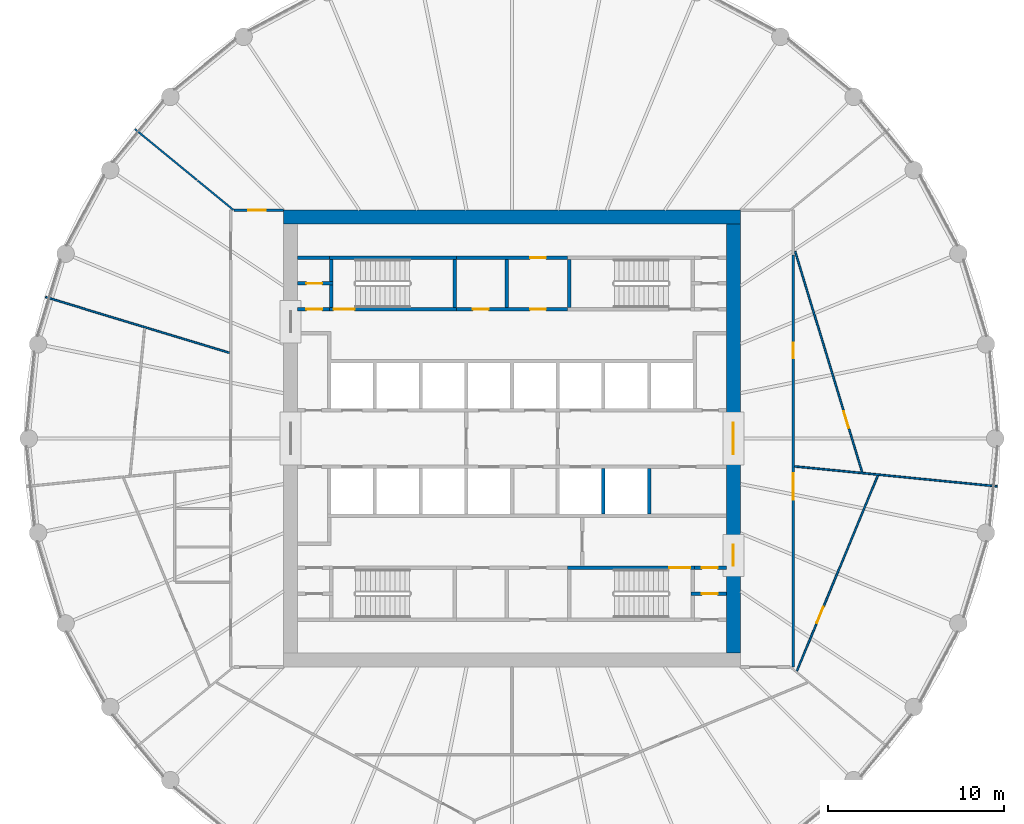
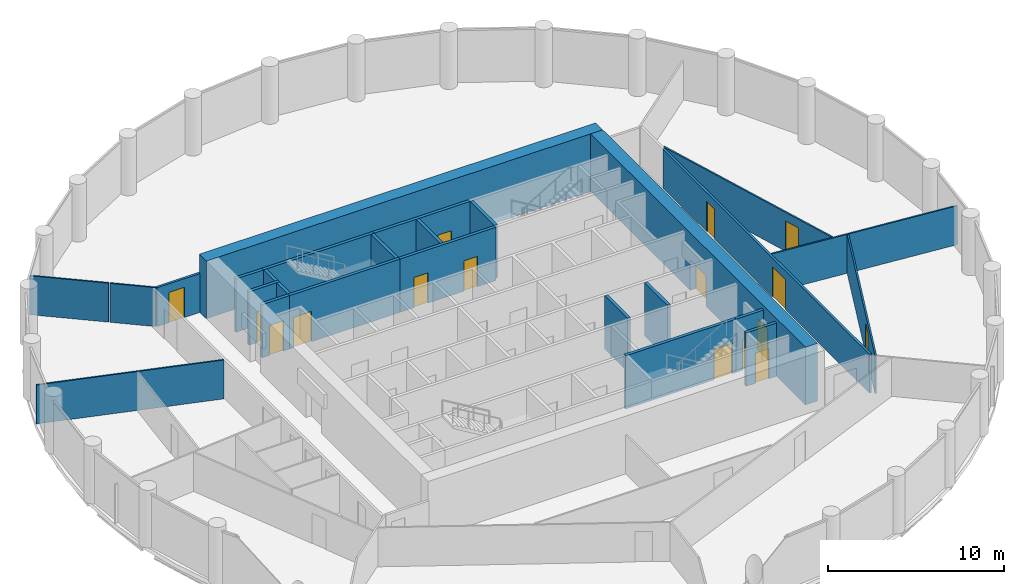
# One storey, part 6 of 8: 27 walls, 16 doors, 16 openings.
"""IFC4 building model written with IfcOpenShell, lengths in metres."""

from ifc_helpers import new_model, si_unit, direction, frame, frame_2d, origin, place, context, subcontext, project, spatial, polyline, rectangle, outline, extrude, material, layer, layer_set, type_object, element, fill, save


model = new_model("IFC4")

# Units and contexts
model_context = context("Model", 3, precision=1e-05, world=origin(), true_north=direction((0.0, 1.0)))
body_context = subcontext(model_context, "Body", "Model", "MODEL_VIEW")
ifc_project = project(units=[si_unit("LENGTHUNIT", "METRE"), si_unit("AREAUNIT", "SQUARE_METRE"), si_unit("VOLUMEUNIT", "CUBIC_METRE"), si_unit("PLANEANGLEUNIT", "RADIAN"), si_unit("MASSUNIT", "GRAM", prefix="KILO")], contexts=[model_context])

# Site, building, storey
site_placement = place(None, origin())
site = spatial("IfcSite", under=ifc_project, at=site_placement, CompositionType="ELEMENT")
building_placement = place(site_placement, origin())
building = spatial("IfcBuilding", under=site, at=building_placement, Name="Corvane Civic Tower", CompositionType="ELEMENT")
storey_placement = place(building_placement, frame((0.0, 0.0, 229.5)))
storey = spatial("IfcBuildingStorey", under=building, at=storey_placement, Name="L54", CompositionType="ELEMENT", Elevation=229.5)

# Wall
ifc_material_1 = material(Name="Concrete C50/60", Category="concrete")
ifc_layer_1 = layer(ifc_material_1, 0.800048828125)
ifc_layer_set_1 = layer_set([ifc_layer_1], Name="Concrete C50/60")
wall_type_1 = type_object("IfcWallType", Name="CORE WALL 800 C50/60", PredefinedType="SHEAR", material=ifc_layer_set_1)
wall_1_placement = place(storey_placement, frame((-13.0, 12.60009765625, 0.0), z_axis=(0.0, 0.0, 1.0), x_axis=(1.0, 0.0, 0.0)))
element("IfcWall", 1, at=wall_1_placement, inside=storey, type_object=wall_type_1, Name="W-L54-core-N", PredefinedType="SHEAR", context=body_context, shape_type="SweptSolid", body=[
    extrude(rectangle(XDim=26.0, YDim=0.800048828125, at=frame_2d((13.0, 0.0))), origin(), (0.0, 0.0, 1.0), 4.0),
])

# Wall, openings, doors
wall_2_placement = place(storey_placement, frame((12.60009765625, -12.199951171875, 0.0), z_axis=(0.0, 0.0, 1.0), x_axis=(0.0, 1.0, 0.0)))
wall_2 = element("IfcWall", 2, at=wall_2_placement, inside=storey, type_object=wall_type_1, Name="W-L54-core-E", PredefinedType="SHEAR", context=body_context, shape_type="SweptSolid", body=[
    extrude(rectangle(XDim=24.39990234375, YDim=0.800048828125, at=frame_2d((12.199951171875, 0.0))), origin(), (0.0, 0.0, 1.0), 4.0),
])
opening_1_placement = place(wall_2_placement, frame((11.300048828125, 0.0, 0.0)))
opening_1 = element("IfcOpeningElement", 3, at=opening_1_placement, cuts=wall_2, Name="Opening L54.C30", PredefinedType="OPENING", context=body_context, shape_type="SweptSolid", body=[
    extrude(rectangle(XDim=1.800048828125, YDim=2.10009765625, at=frame_2d((0.89990234375, 1.050048828125))), frame((0.0, 0.409912109375, 0.0), z_axis=(0.0, -1.0, 0.0), x_axis=(1.0, 0.0, 0.0)), (0.0, 0.0, 1.0), 0.820068359375),
])
opening_2_placement = place(wall_2_placement, frame((4.949951171875, 0.0, 0.0)))
opening_2 = element("IfcOpeningElement", 4, at=opening_2_placement, cuts=wall_2, Name="Opening L54.C32", PredefinedType="OPENING", context=body_context, shape_type="SweptSolid", body=[
    extrude(rectangle(XDim=1.199951171875, YDim=2.10009765625, at=frame_2d((0.60009765625, 1.050048828125))), frame((0.0, 0.409912109375, 0.0), z_axis=(0.0, -1.0, 0.0), x_axis=(1.0, 0.0, 0.0)), (0.0, 0.0, 1.0), 0.820068359375),
])
ifc_material_2 = material(Name="Steel fire door leaf", Category="steel")
door_type_1 = type_object("IfcDoorType", Name="CR-DOOR-CORE-1800", OperationType="DOUBLE_DOOR_SINGLE_SWING", PredefinedType="DOOR", material=ifc_material_2)
door_1_placement = place(opening_1_placement, origin())
door_1 = element("IfcDoor", 5, at=door_1_placement, inside=storey, type_object=door_type_1, Name="L54 door", OperationType="DOUBLE_DOOR_SINGLE_SWING", OverallHeight=2.10009765625, OverallWidth=1.800048828125, PredefinedType="DOOR", context=body_context, shape_type="SweptSolid", body=[
    extrude(rectangle(XDim=1.800048828125, YDim=2.10009765625, at=frame_2d((0.89990234375, 1.050048828125))), frame((0.0, 0.02490234375, 0.0), z_axis=(0.0, -1.0, 0.0), x_axis=(1.0, 0.0, 0.0)), (0.0, 0.0, 1.0), 0.050048828125),
])
fill(opening_1, door_1)
door_2_placement = place(opening_2_placement, origin())
door_2 = element("IfcDoor", 6, at=door_2_placement, inside=storey, type_object=door_type_1, Name="L54 door", OperationType="DOUBLE_DOOR_SINGLE_SWING", OverallHeight=2.10009765625, OverallWidth=1.199951171875, PredefinedType="DOOR", context=body_context, shape_type="SweptSolid", body=[
    extrude(rectangle(XDim=1.199951171875, YDim=2.10009765625, at=frame_2d((0.60009765625, 1.050048828125))), frame((0.0, 0.02490234375, 0.0), z_axis=(0.0, -1.0, 0.0), x_axis=(1.0, 0.0, 0.0)), (0.0, 0.0, 1.0), 0.050048828125),
])
fill(opening_2, door_2)

# Wall, opening, door
ifc_material_3 = material(Name="Concrete C30/37", Category="concrete")
ifc_layer_2 = layer(ifc_material_3, 0.199951171875)
ifc_layer_set_2 = layer_set([ifc_layer_2], Name="Concrete C30/37")
wall_type_2 = type_object("IfcWallType", Name="CR-WALL-200", PredefinedType="PARTITIONING", material=ifc_layer_set_2)
wall_3_placement = place(storey_placement, frame((10.199951171875, -8.824951171875, 0.0), z_axis=(0.0, 0.0, 1.0), x_axis=(1.0, 0.0, 0.0)))
wall_3 = element("IfcWall", 7, at=wall_3_placement, inside=storey, type_object=wall_type_2, Name="L54 partition wall", PredefinedType="PARTITIONING", context=body_context, shape_type="SweptSolid", body=[
    extrude(rectangle(XDim=2.0, YDim=0.199951171875, at=frame_2d((1.0, 0.0))), origin(), (0.0, 0.0, 1.0), 3.699951171875),
])
opening_3_placement = place(wall_3_placement, frame((0.60009765625, 0.0, 0.0)))
opening_3 = element("IfcOpeningElement", 8, at=opening_3_placement, cuts=wall_3, Name="Opening L54.C20", PredefinedType="OPENING", context=body_context, shape_type="SweptSolid", body=[
    extrude(rectangle(XDim=0.89990234375, YDim=2.10009765625, at=frame_2d((0.449951171875, 1.050048828125))), frame((0.0, 0.10986328125, 0.0), z_axis=(0.0, -1.0, 0.0), x_axis=(1.0, 0.0, 0.0)), (0.0, 0.0, 1.0), 0.219970703125),
])
ifc_material_4 = material(Name="Steel fire door leaf", Category="steel")
door_type_2 = type_object("IfcDoorType", Name="CR-DOOR-900", OperationType="SINGLE_SWING_LEFT", PredefinedType="DOOR", material=ifc_material_4)
door_3_placement = place(opening_3_placement, origin())
door_3 = element("IfcDoor", 9, at=door_3_placement, inside=storey, type_object=door_type_2, Name="L54 door", OperationType="SINGLE_SWING_LEFT", OverallHeight=2.10009765625, OverallWidth=0.89990234375, PredefinedType="DOOR", context=body_context, shape_type="SweptSolid", body=[
    extrude(rectangle(XDim=0.89990234375, YDim=2.10009765625, at=frame_2d((0.449951171875, 1.050048828125))), frame((0.0, 0.02490234375, 0.0), z_axis=(0.0, -1.0, 0.0), x_axis=(1.0, 0.0, 0.0)), (0.0, 0.0, 1.0), 0.050048828125),
])
fill(opening_3, door_3)

wall_4_placement = place(storey_placement, frame((10.39990234375, -7.35009765625, 0.0), z_axis=(0.0, 0.0, 1.0), x_axis=(1.0, 0.0, 0.0)))
wall_4 = element("IfcWall", 10, at=wall_4_placement, inside=storey, type_object=wall_type_2, Name="L54 core partition wall", PredefinedType="PARTITIONING", context=body_context, shape_type="SweptSolid", body=[
    extrude(rectangle(XDim=1.800048828125, YDim=0.199951171875, at=frame_2d((0.89990234375, 0.0))), origin(), (0.0, 0.0, 1.0), 3.699951171875),
])
opening_4_placement = place(wall_4_placement, frame((0.39990234375, 0.0, 0.0)))
opening_4 = element("IfcOpeningElement", 11, at=opening_4_placement, cuts=wall_4, Name="Opening L54.C19", PredefinedType="OPENING", context=body_context, shape_type="SweptSolid", body=[
    extrude(rectangle(XDim=0.89990234375, YDim=2.10009765625, at=frame_2d((0.449951171875, 1.050048828125))), frame((0.0, 0.10986328125, 0.0), z_axis=(0.0, -1.0, 0.0), x_axis=(1.0, 0.0, 0.0)), (0.0, 0.0, 1.0), 0.219970703125),
])
door_4_placement = place(opening_4_placement, origin())
door_4 = element("IfcDoor", 12, at=door_4_placement, inside=storey, type_object=door_type_2, Name="L54 door", OperationType="SINGLE_SWING_LEFT", OverallHeight=2.10009765625, OverallWidth=0.89990234375, PredefinedType="DOOR", context=body_context, shape_type="SweptSolid", body=[
    extrude(rectangle(XDim=0.89990234375, YDim=2.10009765625, at=frame_2d((0.449951171875, 1.050048828125))), frame((0.0, 0.02490234375, 0.0), z_axis=(0.0, -1.0, 0.0), x_axis=(1.0, 0.0, 0.0)), (0.0, 0.0, 1.0), 0.050048828125),
])
fill(opening_4, door_4)

wall_5_placement = place(storey_placement, frame((-12.199951171875, 7.35009765625, 0.0), z_axis=(0.0, 0.0, 1.0), x_axis=(1.0, 0.0, 0.0)))
wall_5 = element("IfcWall", 13, at=wall_5_placement, inside=storey, type_object=wall_type_2, Name="L54 core partition wall", PredefinedType="PARTITIONING", context=body_context, shape_type="SweptSolid", body=[
    extrude(rectangle(XDim=1.800048828125, YDim=0.199951171875, at=frame_2d((0.89990234375, 0.0))), origin(), (0.0, 0.0, 1.0), 3.699951171875),
])
opening_5_placement = place(wall_5_placement, frame((0.5, 0.0, 0.0)))
opening_5 = element("IfcOpeningElement", 14, at=opening_5_placement, cuts=wall_5, Name="Opening L54.C12", PredefinedType="OPENING", context=body_context, shape_type="SweptSolid", body=[
    extrude(rectangle(XDim=0.89990234375, YDim=2.10009765625, at=frame_2d((0.449951171875, 1.050048828125))), frame((0.0, 0.10986328125, 0.0), z_axis=(0.0, -1.0, 0.0), x_axis=(1.0, 0.0, 0.0)), (0.0, 0.0, 1.0), 0.219970703125),
])
door_5_placement = place(opening_5_placement, origin())
door_5 = element("IfcDoor", 15, at=door_5_placement, inside=storey, type_object=door_type_2, Name="L54 door", OperationType="SINGLE_SWING_LEFT", OverallHeight=2.10009765625, OverallWidth=0.89990234375, PredefinedType="DOOR", context=body_context, shape_type="SweptSolid", body=[
    extrude(rectangle(XDim=0.89990234375, YDim=2.10009765625, at=frame_2d((0.449951171875, 1.050048828125))), frame((0.0, 0.02490234375, 0.0), z_axis=(0.0, -1.0, 0.0), x_axis=(1.0, 0.0, 0.0)), (0.0, 0.0, 1.0), 0.050048828125),
])
fill(opening_5, door_5)

# Wall, openings, doors
wall_6_placement = place(storey_placement, frame((-3.14990234375, 7.35009765625, 0.0), z_axis=(0.0, 0.0, 1.0), x_axis=(1.0, 0.0, 0.0)))
wall_6 = element("IfcWall", 16, at=wall_6_placement, inside=storey, type_object=wall_type_2, Name="L54 core partition wall", PredefinedType="PARTITIONING", context=body_context, shape_type="SweptSolid", body=[
    extrude(rectangle(XDim=6.2998046875, YDim=0.199951171875, at=frame_2d((3.14990234375, 0.0))), origin(), (0.0, 0.0, 1.0), 3.699951171875),
])
opening_6_placement = place(wall_6_placement, frame((0.925048828125, 0.0, 0.0)))
opening_6 = element("IfcOpeningElement", 17, at=opening_6_placement, cuts=wall_6, Name="Opening L54.C06", PredefinedType="OPENING", context=body_context, shape_type="SweptSolid", body=[
    extrude(rectangle(XDim=0.89990234375, YDim=2.10009765625, at=frame_2d((0.449951171875, 1.050048828125))), frame((0.0, 0.10986328125, 0.0), z_axis=(0.0, -1.0, 0.0), x_axis=(1.0, 0.0, 0.0)), (0.0, 0.0, 1.0), 0.219970703125),
])
opening_7_placement = place(wall_6_placement, frame((4.175048828125, 0.0, 0.0)))
opening_7 = element("IfcOpeningElement", 18, at=opening_7_placement, cuts=wall_6, Name="Opening L54.C07", PredefinedType="OPENING", context=body_context, shape_type="SweptSolid", body=[
    extrude(rectangle(XDim=0.89990234375, YDim=2.10009765625, at=frame_2d((0.449951171875, 1.050048828125))), frame((0.0, 0.10986328125, 0.0), z_axis=(0.0, -1.0, 0.0), x_axis=(1.0, 0.0, 0.0)), (0.0, 0.0, 1.0), 0.219970703125),
])
door_6_placement = place(opening_6_placement, origin())
door_6 = element("IfcDoor", 19, at=door_6_placement, inside=storey, type_object=door_type_2, Name="L54 door", OperationType="SINGLE_SWING_LEFT", OverallHeight=2.10009765625, OverallWidth=0.89990234375, PredefinedType="DOOR", context=body_context, shape_type="SweptSolid", body=[
    extrude(rectangle(XDim=0.89990234375, YDim=2.10009765625, at=frame_2d((0.449951171875, 1.050048828125))), frame((0.0, 0.02490234375, 0.0), z_axis=(0.0, -1.0, 0.0), x_axis=(1.0, 0.0, 0.0)), (0.0, 0.0, 1.0), 0.050048828125),
])
fill(opening_6, door_6)
door_7_placement = place(opening_7_placement, origin())
door_7 = element("IfcDoor", 20, at=door_7_placement, inside=storey, type_object=door_type_2, Name="L54 door", OperationType="SINGLE_SWING_LEFT", OverallHeight=2.10009765625, OverallWidth=0.89990234375, PredefinedType="DOOR", context=body_context, shape_type="SweptSolid", body=[
    extrude(rectangle(XDim=0.89990234375, YDim=2.10009765625, at=frame_2d((0.449951171875, 1.050048828125))), frame((0.0, 0.02490234375, 0.0), z_axis=(0.0, -1.0, 0.0), x_axis=(1.0, 0.0, 0.0)), (0.0, 0.0, 1.0), 0.050048828125),
])
fill(opening_7, door_7)

# Wall, opening, door
wall_7_placement = place(storey_placement, frame((-12.199951171875, 8.824951171875, 0.0), z_axis=(0.0, 0.0, 1.0), x_axis=(1.0, 0.0, 0.0)))
wall_7 = element("IfcWall", 21, at=wall_7_placement, inside=storey, type_object=wall_type_2, Name="L54 partition wall", PredefinedType="PARTITIONING", context=body_context, shape_type="SweptSolid", body=[
    extrude(rectangle(XDim=2.0, YDim=0.199951171875, at=frame_2d((1.0, 0.0))), origin(), (0.0, 0.0, 1.0), 3.699951171875),
])
opening_8_placement = place(wall_7_placement, frame((0.5, 0.0, 0.0)))
opening_8 = element("IfcOpeningElement", 22, at=opening_8_placement, cuts=wall_7, Name="Opening L54.C13", PredefinedType="OPENING", context=body_context, shape_type="SweptSolid", body=[
    extrude(rectangle(XDim=0.89990234375, YDim=2.10009765625, at=frame_2d((0.449951171875, 1.050048828125))), frame((0.0, 0.10986328125, 0.0), z_axis=(0.0, -1.0, 0.0), x_axis=(1.0, 0.0, 0.0)), (0.0, 0.0, 1.0), 0.219970703125),
])
door_8_placement = place(opening_8_placement, origin())
door_8 = element("IfcDoor", 23, at=door_8_placement, inside=storey, type_object=door_type_2, Name="L54 door", OperationType="SINGLE_SWING_LEFT", OverallHeight=2.10009765625, OverallWidth=0.89990234375, PredefinedType="DOOR", context=body_context, shape_type="SweptSolid", body=[
    extrude(rectangle(XDim=0.89990234375, YDim=2.10009765625, at=frame_2d((0.449951171875, 1.050048828125))), frame((0.0, 0.02490234375, 0.0), z_axis=(0.0, -1.0, 0.0), x_axis=(1.0, 0.0, 0.0)), (0.0, 0.0, 1.0), 0.050048828125),
])
fill(opening_8, door_8)

wall_8_placement = place(storey_placement, frame((-3.14990234375, 10.300048828125, 0.0), z_axis=(0.0, 0.0, 1.0), x_axis=(1.0, 0.0, 0.0)))
wall_8 = element("IfcWall", 24, at=wall_8_placement, inside=storey, type_object=wall_type_2, Name="L54 partition wall", PredefinedType="PARTITIONING", context=body_context, shape_type="SweptSolid", body=[
    extrude(rectangle(XDim=6.2998046875, YDim=0.199951171875, at=frame_2d((3.14990234375, 0.0))), origin(), (0.0, 0.0, 1.0), 3.699951171875),
])
opening_9_placement = place(wall_8_placement, frame((4.175048828125, 0.0, 0.0)))
opening_9 = element("IfcOpeningElement", 25, at=opening_9_placement, cuts=wall_8, Name="Opening L54.C10", PredefinedType="OPENING", context=body_context, shape_type="SweptSolid", body=[
    extrude(rectangle(XDim=0.89990234375, YDim=2.10009765625, at=frame_2d((0.449951171875, 1.050048828125))), frame((0.0, 0.10986328125, 0.0), z_axis=(0.0, -1.0, 0.0), x_axis=(1.0, 0.0, 0.0)), (0.0, 0.0, 1.0), 0.219970703125),
])
door_9_placement = place(opening_9_placement, origin())
door_9 = element("IfcDoor", 26, at=door_9_placement, inside=storey, type_object=door_type_2, Name="L54 door", OperationType="SINGLE_SWING_LEFT", OverallHeight=2.10009765625, OverallWidth=0.89990234375, PredefinedType="DOOR", context=body_context, shape_type="SweptSolid", body=[
    extrude(rectangle(XDim=0.89990234375, YDim=2.10009765625, at=frame_2d((0.449951171875, 1.050048828125))), frame((0.0, 0.02490234375, 0.0), z_axis=(0.0, -1.0, 0.0), x_axis=(1.0, 0.0, 0.0)), (0.0, 0.0, 1.0), 0.050048828125),
])
fill(opening_9, door_9)

# Walls
wall_9_placement = place(storey_placement, origin())
element("IfcWall", 27, at=wall_9_placement, inside=storey, type_object=wall_type_2, Name="L54 core partition wall", PredefinedType="PARTITIONING", context=body_context, shape_type="SweptSolid", body=[
    extrude(outline(polyline([(5.300048828125, -1.699951171875), (5.300048828125, -4.2998046875), (5.10009765625, -4.2998046875), (5.10009765625, -1.699951171875), (5.300048828125, -1.699951171875)])), origin(), (0.0, 0.0, 1.0), 3.699951171875),
])
wall_10_placement = place(storey_placement, origin())
element("IfcWall", 28, at=wall_10_placement, inside=storey, type_object=wall_type_2, Name="L54 core partition wall", PredefinedType="PARTITIONING", context=body_context, shape_type="SweptSolid", body=[
    extrude(outline(polyline([(7.89990234375, -1.699951171875), (7.89990234375, -4.2998046875), (7.699951171875, -4.2998046875), (7.699951171875, -1.699951171875), (7.89990234375, -1.699951171875)])), origin(), (0.0, 0.0, 1.0), 3.699951171875),
])
wall_11_placement = place(storey_placement, origin())
element("IfcWall", 29, at=wall_11_placement, inside=storey, type_object=wall_type_2, Name="L54 core partition wall", PredefinedType="PARTITIONING", context=body_context, shape_type="SweptSolid", body=[
    extrude(outline(polyline([(-12.199951171875, 10.199951171875), (-12.199951171875, 10.39990234375), (-10.39990234375, 10.39990234375), (-10.39990234375, 10.199951171875), (-12.199951171875, 10.199951171875)])), origin(), (0.0, 0.0, 1.0), 3.699951171875),
])
wall_12_placement = place(storey_placement, origin())
element("IfcWall", 30, at=wall_12_placement, inside=storey, type_object=wall_type_2, Name="L54 core partition wall", PredefinedType="PARTITIONING", context=body_context, shape_type="SweptSolid", body=[
    extrude(outline(polyline([(-0.199951171875, 10.199951171875), (-0.199951171875, 7.449951171875), (-0.39990234375, 7.449951171875), (-0.39990234375, 10.199951171875), (-0.199951171875, 10.199951171875)])), origin(), (0.0, 0.0, 1.0), 3.699951171875),
])

# Wall, opening, door
ifc_material_5 = material(Name="Plasterboard")
ifc_layer_3 = layer(ifc_material_5, 0.10009765625)
ifc_layer_set_3 = layer_set([ifc_layer_3], Name="Plasterboard")
wall_type_3 = type_object("IfcWallType", Name="Partition 100 plasterboard on studs", PredefinedType="PARTITIONING", material=ifc_layer_set_3)
wall_13_placement = place(storey_placement, frame((16.214111328125, -13.22314453125, 0.0), z_axis=(0.0, 0.0, 1.0), x_axis=(0.382678182982, 0.92388170686, 0.0)))
wall_13 = element("IfcWall", 31, at=wall_13_placement, inside=storey, type_object=wall_type_3, Name="Partition L54.009", PredefinedType="PARTITIONING", context=body_context, shape_type="SweptSolid", body=[
    extrude(rectangle(XDim=12.0234375, YDim=0.10009765625, at=frame_2d((6.01171875, 0.0))), origin(), (0.0, 0.0, 1.0), 2.699951171875),
])
opening_10_placement = place(wall_13_placement, frame((2.95654296875, 0.0, 0.0)))
opening_10 = element("IfcOpeningElement", 32, at=opening_10_placement, cuts=wall_13, Name="Opening L54.009", PredefinedType="OPENING", context=body_context, shape_type="SweptSolid", body=[
    extrude(rectangle(XDim=1.0, YDim=2.10009765625, at=frame_2d((0.5, 1.050048828125))), frame((0.0, 0.06005859375, 0.0), z_axis=(0.0, -1.0, 0.0), x_axis=(1.0, 0.0, 0.0)), (0.0, 0.0, 1.0), 0.1201171875),
])
ifc_material_6 = material(Name="Timber", Category="wood")
door_type_3 = type_object("IfcDoorType", Name="Single door 1000", OperationType="NOTDEFINED", PredefinedType="DOOR", material=ifc_material_6)
door_10_placement = place(opening_10_placement, frame((1.0, 0.0, 0.0), z_axis=(0.0, 0.0, 1.0), x_axis=(-1.0, 0.0, 0.0)))
door_10 = element("IfcDoor", 33, at=door_10_placement, inside=storey, type_object=door_type_3, Name="Door L54.009", OperationType="SINGLE_SWING_LEFT", OverallHeight=2.10009765625, OverallWidth=1.0, PredefinedType="DOOR", context=body_context, shape_type="SweptSolid", body=[
    extrude(rectangle(XDim=1.0, YDim=2.10009765625, at=frame_2d((0.5, 1.050048828125))), frame((0.0, 0.02490234375, 0.0), z_axis=(0.0, -1.0, 0.0), x_axis=(1.0, 0.0, 0.0)), (0.0, 0.0, 1.0), 0.050048828125),
])
fill(opening_10, door_10)

# Wall
wall_14_placement = place(storey_placement, frame((16.079833984375, -1.583740234375, 0.0), z_axis=(0.0, 0.0, 1.0), x_axis=(0.995184958345, -0.098014788084, 0.0)))
element("IfcWall", 34, at=wall_14_placement, inside=storey, type_object=wall_type_3, Name="Partition L54.019", PredefinedType="PARTITIONING", context=body_context, shape_type="SweptSolid", body=[
    extrude(rectangle(XDim=11.592529296875, YDim=0.10009765625, at=frame_2d((5.79638671875, 0.0))), origin(), (0.0, 0.0, 1.0), 2.699951171875),
])

# Wall, opening, door
wall_15_placement = place(storey_placement, frame((16.1162109375, 10.655517578125, 0.0), z_axis=(0.0, 0.0, 1.0), x_axis=(0.290282810355, -0.956940902048, 0.0)))
wall_15 = element("IfcWall", 35, at=wall_15_placement, inside=storey, type_object=wall_type_3, Name="Partition L54.022", PredefinedType="PARTITIONING", context=body_context, shape_type="SweptSolid", body=[
    extrude(rectangle(XDim=13.11279296875, YDim=0.10009765625, at=frame_2d((6.556396484375, 0.0))), origin(), (0.0, 0.0, 1.0), 2.699951171875),
])
opening_11_placement = place(wall_15_placement, frame((9.5048828125, 0.0, 0.0)))
opening_11 = element("IfcOpeningElement", 36, at=opening_11_placement, cuts=wall_15, Name="Opening L54.007", PredefinedType="OPENING", context=body_context, shape_type="SweptSolid", body=[
    extrude(rectangle(XDim=1.0, YDim=2.10009765625, at=frame_2d((0.5, 1.050048828125))), frame((0.0, 0.06005859375, 0.0), z_axis=(0.0, -1.0, 0.0), x_axis=(1.0, 0.0, 0.0)), (0.0, 0.0, 1.0), 0.1201171875),
])
door_11_placement = place(opening_11_placement, origin())
door_11 = element("IfcDoor", 37, at=door_11_placement, inside=storey, type_object=door_type_3, Name="Door L54.007", OperationType="SINGLE_SWING_LEFT", OverallHeight=2.10009765625, OverallWidth=1.0, PredefinedType="DOOR", context=body_context, shape_type="SweptSolid", body=[
    extrude(rectangle(XDim=1.0, YDim=2.10009765625, at=frame_2d((0.5, 1.050048828125))), frame((0.0, 0.02490234375, 0.0), z_axis=(0.0, -1.0, 0.0), x_axis=(1.0, 0.0, 0.0)), (0.0, 0.0, 1.0), 0.050048828125),
])
fill(opening_11, door_11)

# Walls
wall_16_placement = place(storey_placement, frame((-26.555419921875, 8.055419921875, 0.0), z_axis=(0.0, 0.0, 1.0), x_axis=(0.956939502521, -0.290287423971, 0.0)))
element("IfcWall", 38, at=wall_16_placement, inside=storey, type_object=wall_type_3, Name="Partition L54.023", PredefinedType="PARTITIONING", context=body_context, shape_type="SweptSolid", body=[
    extrude(rectangle(XDim=10.936767578125, YDim=0.10009765625, at=frame_2d((5.46826171875, 0.0))), origin(), (0.0, 0.0, 1.0), 2.699951171875),
])
wall_17_placement = place(storey_placement, frame((-17.89111328125, 14.682861328125, 0.0), z_axis=(0.0, 0.0, 1.0), x_axis=(0.772969668341, -0.634442977599, 0.0)))
element("IfcWall", 39, at=wall_17_placement, inside=storey, type_object=wall_type_3, Name="Partition L54.027", PredefinedType="PARTITIONING", context=body_context, shape_type="SweptSolid", body=[
    extrude(rectangle(XDim=2.634765625, YDim=0.10009765625, at=frame_2d((1.3173828125, 0.0))), origin(), (0.0, 0.0, 1.0), 2.699951171875),
])
wall_18_placement = place(storey_placement, frame((-21.451171875, 17.6044921875, 0.0), z_axis=(0.0, 0.0, 1.0), x_axis=(0.773003791279, -0.634401401849, 0.0)))
element("IfcWall", 40, at=wall_18_placement, inside=storey, type_object=wall_type_3, Name="Partition L54.029", PredefinedType="PARTITIONING", context=body_context, shape_type="SweptSolid", body=[
    extrude(rectangle(XDim=4.54443359375, YDim=0.10009765625, at=frame_2d((2.272216796875, 0.0))), origin(), (0.0, 0.0, 1.0), 2.699951171875),
])

# Wall, opening, door
ifc_material_7 = material(Name="Concrete C50/60", Category="concrete")
ifc_layer_4 = layer(ifc_material_7, 0.199951171875)
ifc_layer_set_4 = layer_set([ifc_layer_4], Name="Concrete C50/60")
wall_type_4 = type_object("IfcWallType", Name="ST-WALL-200", PredefinedType="SHEAR", material=ifc_layer_set_4)
wall_19_placement = place(storey_placement, frame((3.14990234375, -7.35009765625, 0.0), z_axis=(0.0, 0.0, 1.0), x_axis=(1.0, 0.0, 0.0)))
wall_19 = element("IfcWall", 41, at=wall_19_placement, inside=storey, type_object=wall_type_4, Name="L54 stair enclosure wall", PredefinedType="SHEAR", context=body_context, shape_type="SweptSolid", body=[
    extrude(rectangle(XDim=7.25, YDim=0.199951171875, at=frame_2d((3.625, 0.0))), origin(), (0.0, 0.0, 1.0), 3.699951171875),
])
opening_12_placement = place(wall_19_placement, frame((5.800048828125, 0.0, 0.0)))
opening_12 = element("IfcOpeningElement", 42, at=opening_12_placement, cuts=wall_19, Name="Opening L54.C24", PredefinedType="OPENING", context=body_context, shape_type="SweptSolid", body=[
    extrude(rectangle(XDim=1.199951171875, YDim=2.10009765625, at=frame_2d((0.60009765625, 1.050048828125))), frame((0.0, 0.10986328125, 0.0), z_axis=(0.0, -1.0, 0.0), x_axis=(1.0, 0.0, 0.0)), (0.0, 0.0, 1.0), 0.219970703125),
])
ifc_material_8 = material(Name="Steel fire door leaf", Category="steel")
door_type_4 = type_object("IfcDoorType", Name="ST-DOOR-1200", OperationType="SINGLE_SWING_RIGHT", PredefinedType="DOOR", material=ifc_material_8)
door_12_placement = place(opening_12_placement, origin())
door_12 = element("IfcDoor", 43, at=door_12_placement, inside=storey, type_object=door_type_4, Name="L54 stair door", OperationType="SINGLE_SWING_RIGHT", OverallHeight=2.10009765625, OverallWidth=1.199951171875, PredefinedType="DOOR", context=body_context, shape_type="SweptSolid", body=[
    extrude(rectangle(XDim=1.199951171875, YDim=2.10009765625, at=frame_2d((0.60009765625, 1.050048828125))), frame((0.0, 0.02490234375, 0.0), z_axis=(0.0, -1.0, 0.0), x_axis=(1.0, 0.0, 0.0)), (0.0, 0.0, 1.0), 0.050048828125),
])
fill(opening_12, door_12)

wall_20_placement = place(storey_placement, frame((-10.39990234375, 7.35009765625, 0.0), z_axis=(0.0, 0.0, 1.0), x_axis=(1.0, 0.0, 0.0)))
wall_20 = element("IfcWall", 44, at=wall_20_placement, inside=storey, type_object=wall_type_4, Name="L54 stair enclosure wall", PredefinedType="SHEAR", context=body_context, shape_type="SweptSolid", body=[
    extrude(rectangle(XDim=7.25, YDim=0.199951171875, at=frame_2d((3.625, 0.0))), origin(), (0.0, 0.0, 1.0), 3.699951171875),
])
opening_13_placement = place(wall_20_placement, frame((0.25, 0.0, 0.0)))
opening_13 = element("IfcOpeningElement", 45, at=opening_13_placement, cuts=wall_20, Name="Opening L54.C23", PredefinedType="OPENING", context=body_context, shape_type="SweptSolid", body=[
    extrude(rectangle(XDim=1.199951171875, YDim=2.10009765625, at=frame_2d((0.60009765625, 1.050048828125))), frame((0.0, 0.10986328125, 0.0), z_axis=(0.0, -1.0, 0.0), x_axis=(1.0, 0.0, 0.0)), (0.0, 0.0, 1.0), 0.219970703125),
])
door_13_placement = place(opening_13_placement, origin())
door_13 = element("IfcDoor", 46, at=door_13_placement, inside=storey, type_object=door_type_4, Name="L54 stair door", OperationType="SINGLE_SWING_RIGHT", OverallHeight=2.10009765625, OverallWidth=1.199951171875, PredefinedType="DOOR", context=body_context, shape_type="SweptSolid", body=[
    extrude(rectangle(XDim=1.199951171875, YDim=2.10009765625, at=frame_2d((0.60009765625, 1.050048828125))), frame((0.0, 0.02490234375, 0.0), z_axis=(0.0, -1.0, 0.0), x_axis=(1.0, 0.0, 0.0)), (0.0, 0.0, 1.0), 0.050048828125),
])
fill(opening_13, door_13)

# Walls
wall_21_placement = place(storey_placement, origin())
element("IfcWall", 47, at=wall_21_placement, inside=storey, type_object=wall_type_4, Name="L54 stair enclosure wall", PredefinedType="SHEAR", context=body_context, shape_type="SweptSolid", body=[
    extrude(outline(polyline([(-3.14990234375, 10.199951171875), (-10.39990234375, 10.199951171875), (-10.39990234375, 10.39990234375), (-3.14990234375, 10.39990234375), (-3.14990234375, 10.199951171875)])), origin(), (0.0, 0.0, 1.0), 3.699951171875),
])
wall_22_placement = place(storey_placement, origin())
element("IfcWall", 48, at=wall_22_placement, inside=storey, type_object=wall_type_4, Name="L54 stair enclosure wall", PredefinedType="SHEAR", context=body_context, shape_type="SweptSolid", body=[
    extrude(outline(polyline([(-3.14990234375, 7.449951171875), (-3.35009765625, 7.449951171875), (-3.35009765625, 10.199951171875), (-3.14990234375, 10.199951171875), (-3.14990234375, 7.449951171875)])), origin(), (0.0, 0.0, 1.0), 3.699951171875),
])
wall_23_placement = place(storey_placement, origin())
element("IfcWall", 49, at=wall_23_placement, inside=storey, type_object=wall_type_4, Name="L54 stair enclosure wall", PredefinedType="SHEAR", context=body_context, shape_type="SweptSolid", body=[
    extrude(outline(polyline([(3.35009765625, 7.449951171875), (3.14990234375, 7.449951171875), (3.14990234375, 10.199951171875), (3.35009765625, 10.199951171875), (3.35009765625, 7.449951171875)])), origin(), (0.0, 0.0, 1.0), 3.699951171875),
])
wall_24_placement = place(storey_placement, origin())
element("IfcWall", 50, at=wall_24_placement, inside=storey, type_object=wall_type_4, Name="L54 stair enclosure wall", PredefinedType="SHEAR", context=body_context, shape_type="SweptSolid", body=[
    extrude(outline(polyline([(-10.199951171875, 8.72509765625), (-10.199951171875, 7.449951171875), (-10.39990234375, 7.449951171875), (-10.39990234375, 8.72509765625), (-10.199951171875, 8.72509765625)])), origin(), (0.0, 0.0, 1.0), 3.699951171875),
])
wall_25_placement = place(storey_placement, origin())
element("IfcWall", 51, at=wall_25_placement, inside=storey, type_object=wall_type_4, Name="L54 stair enclosure wall", PredefinedType="SHEAR", context=body_context, shape_type="SweptSolid", body=[
    extrude(outline(polyline([(-10.199951171875, 8.925048828125), (-10.39990234375, 8.925048828125), (-10.39990234375, 10.199951171875), (-10.199951171875, 10.199951171875), (-10.199951171875, 8.925048828125)])), origin(), (0.0, 0.0, 1.0), 3.699951171875),
])

# Wall, openings, doors
ifc_material_9 = material(Name="Plasterboard")
ifc_layer_5 = layer(ifc_material_9, 0.14990234375)
ifc_layer_set_5 = layer_set([ifc_layer_5], Name="Plasterboard")
wall_type_5 = type_object("IfcWallType", Name="Tenancy wall 150 EI 60", PredefinedType="PARTITIONING", material=ifc_layer_set_5)
wall_26_placement = place(storey_placement, frame((16.0, -13.0, 0.0), z_axis=(0.0, 0.0, 1.0), x_axis=(0.0, 1.0, 0.0)))
wall_26 = element("IfcWall", 52, at=wall_26_placement, inside=storey, type_object=wall_type_5, Name="Partition L54.013", PredefinedType="PARTITIONING", context=body_context, shape_type="SweptSolid", body=[
    extrude(rectangle(XDim=23.459716796875, YDim=0.14990234375, at=frame_2d((11.72998046875, 0.0))), origin(), (0.0, 0.0, 1.0), 2.699951171875),
])
opening_14_placement = place(wall_26_placement, frame((17.5654296875, 0.0, 0.0)))
opening_14 = element("IfcOpeningElement", 53, at=opening_14_placement, cuts=wall_26, Name="Opening L54.008", PredefinedType="OPENING", context=body_context, shape_type="SweptSolid", body=[
    extrude(rectangle(XDim=0.89990234375, YDim=2.10009765625, at=frame_2d((0.449951171875, 1.050048828125))), frame((0.0, 0.0849609375, 0.0), z_axis=(0.0, -1.0, 0.0), x_axis=(1.0, 0.0, 0.0)), (0.0, 0.0, 1.0), 0.169921875),
])
opening_15_placement = place(wall_26_placement, frame((9.5126953125, 0.0, 0.0)))
opening_15 = element("IfcOpeningElement", 54, at=opening_15_placement, cuts=wall_26, Name="Opening L54.010", PredefinedType="OPENING", context=body_context, shape_type="SweptSolid", body=[
    extrude(rectangle(XDim=1.5, YDim=2.10009765625, at=frame_2d((0.75, 1.050048828125))), frame((0.0, 0.0849609375, 0.0), z_axis=(0.0, -1.0, 0.0), x_axis=(1.0, 0.0, 0.0)), (0.0, 0.0, 1.0), 0.169921875),
])
ifc_material_10 = material(Name="Steel and timber", Category="steel")
door_type_5 = type_object("IfcDoorType", Name="Fire door FD30S 900", OperationType="NOTDEFINED", PredefinedType="DOOR", material=ifc_material_10)
door_14_placement = place(opening_14_placement, frame((0.89990234375, 0.0, 0.0), z_axis=(0.0, 0.0, 1.0), x_axis=(-1.0, 0.0, 0.0)))
door_14 = element("IfcDoor", 55, at=door_14_placement, inside=storey, type_object=door_type_5, Name="Door L54.008", OperationType="SINGLE_SWING_RIGHT", OverallHeight=2.10009765625, OverallWidth=0.89990234375, PredefinedType="DOOR", context=body_context, shape_type="SweptSolid", body=[
    extrude(rectangle(XDim=0.89990234375, YDim=2.10009765625, at=frame_2d((0.449951171875, 1.050048828125))), frame((0.0, 0.02490234375, 0.0), z_axis=(0.0, -1.0, 0.0), x_axis=(1.0, 0.0, 0.0)), (0.0, 0.0, 1.0), 0.050048828125),
])
fill(opening_14, door_14)
ifc_material_11 = material(Name="Steel and timber", Category="steel")
door_type_6 = type_object("IfcDoorType", Name="Fire door FD60 double 1500", OperationType="NOTDEFINED", PredefinedType="DOOR", material=ifc_material_11)
door_15_placement = place(opening_15_placement, frame((1.5, 0.0, 0.0), z_axis=(0.0, 0.0, 1.0), x_axis=(-1.0, 0.0, 0.0)))
door_15 = element("IfcDoor", 56, at=door_15_placement, inside=storey, type_object=door_type_6, Name="Door L54.010", OperationType="DOUBLE_DOOR_SINGLE_SWING", OverallHeight=2.10009765625, OverallWidth=1.5, PredefinedType="DOOR", context=body_context, shape_type="SweptSolid", body=[
    extrude(rectangle(XDim=1.5, YDim=2.10009765625, at=frame_2d((0.75, 1.050048828125))), frame((0.0, 0.02490234375, 0.0), z_axis=(0.0, -1.0, 0.0), x_axis=(1.0, 0.0, 0.0)), (0.0, 0.0, 1.0), 0.050048828125),
])
fill(opening_15, door_15)

# Wall, opening, door
wall_27_placement = place(storey_placement, frame((-15.813720703125, 13.0, 0.0), z_axis=(0.0, 0.0, 1.0), x_axis=(1.0, 0.0, 0.0)))
wall_27 = element("IfcWall", 57, at=wall_27_placement, inside=storey, type_object=wall_type_5, Name="Partition L54.025", PredefinedType="PARTITIONING", context=body_context, shape_type="SweptSolid", body=[
    extrude(rectangle(XDim=2.82373046875, YDim=0.14990234375, at=frame_2d((1.411865234375, 0.0))), origin(), (0.0, 0.0, 1.0), 2.699951171875),
])
opening_16_placement = place(wall_27_placement, frame((0.79248046875, 0.0, 0.0)))
opening_16 = element("IfcOpeningElement", 58, at=opening_16_placement, cuts=wall_27, Name="Opening L54.001", PredefinedType="OPENING", context=body_context, shape_type="SweptSolid", body=[
    extrude(rectangle(XDim=1.0, YDim=2.10009765625, at=frame_2d((0.5, 1.050048828125))), frame((0.0, 0.0849609375, 0.0), z_axis=(0.0, -1.0, 0.0), x_axis=(1.0, 0.0, 0.0)), (0.0, 0.0, 1.0), 0.169921875),
])
ifc_material_12 = material(Name="Steel and timber", Category="steel")
door_type_7 = type_object("IfcDoorType", Name="Fire door FD30S 1000", OperationType="NOTDEFINED", PredefinedType="DOOR", material=ifc_material_12)
door_16_placement = place(opening_16_placement, origin())
door_16 = element("IfcDoor", 59, at=door_16_placement, inside=storey, type_object=door_type_7, Name="Door L54.001", OperationType="SINGLE_SWING_LEFT", OverallHeight=2.10009765625, OverallWidth=1.0, PredefinedType="DOOR", context=body_context, shape_type="SweptSolid", body=[
    extrude(rectangle(XDim=1.0, YDim=2.10009765625, at=frame_2d((0.5, 1.050048828125))), frame((0.0, 0.02490234375, 0.0), z_axis=(0.0, -1.0, 0.0), x_axis=(1.0, 0.0, 0.0)), (0.0, 0.0, 1.0), 0.050048828125),
])
fill(opening_16, door_16)

save(model, "model.ifc")
